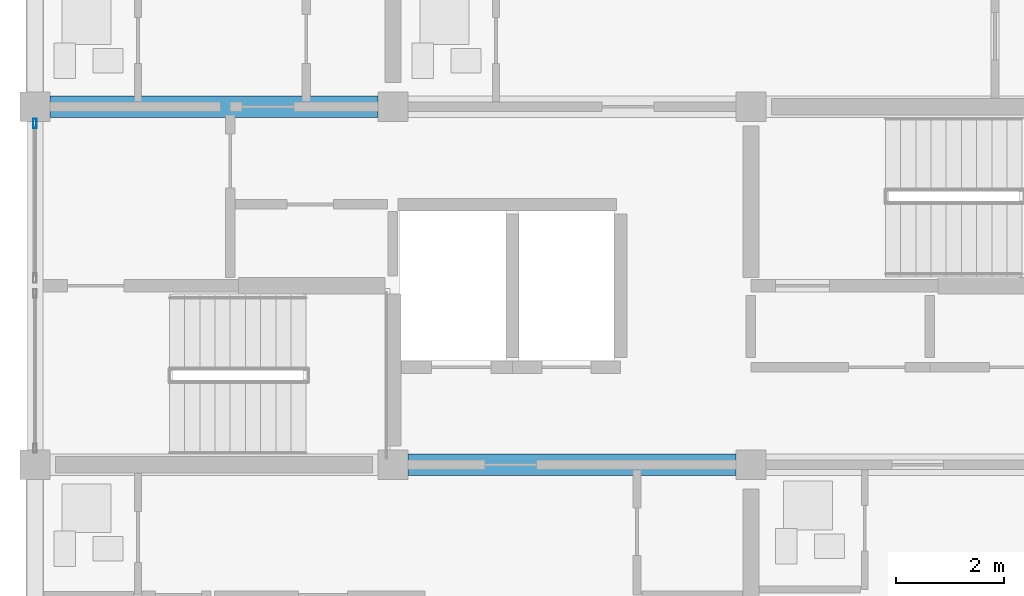
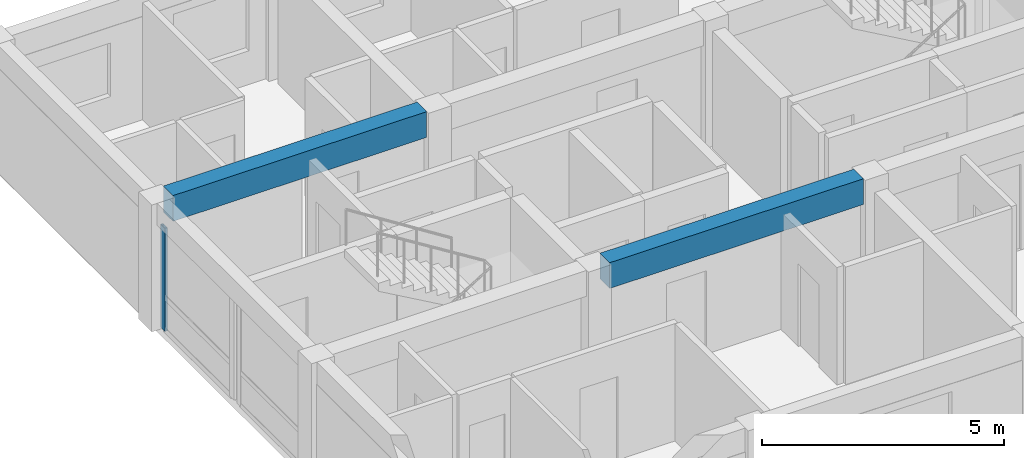
# One storey, part 16 of 45: 2 beams, 1 member, 1 element without a shape of its own.
"""IFC4 building model written with IfcOpenShell, lengths in metres."""

from ifc_helpers import new_model, si_unit, direction, frame, origin, origin_2d, place, context, subcontext, project, spatial, rectangle, hollow_rectangle, extrude, material, material_profile, profile_set, type_object, element, aggregate, save


model = new_model("IFC4")

# Units and contexts
model_context = context("Model", 3, precision=1e-05, world=origin(), true_north=direction((0.0, 1.0)))
body_context = subcontext(model_context, "Body", "Model", "MODEL_VIEW")
ifc_project = project(units=[si_unit("LENGTHUNIT", "METRE"), si_unit("AREAUNIT", "SQUARE_METRE"), si_unit("VOLUMEUNIT", "CUBIC_METRE"), si_unit("PLANEANGLEUNIT", "RADIAN"), si_unit("MASSUNIT", "GRAM", prefix="KILO")], contexts=[model_context])

# Site, building, storey
site_placement = place(None, origin())
site = spatial("IfcSite", under=ifc_project, at=site_placement, CompositionType="ELEMENT")
building_placement = place(site_placement, origin())
building = spatial("IfcBuilding", under=site, at=building_placement, Name="Kernevlak Ridge Housing Community", CompositionType="ELEMENT")
storey_placement = place(building_placement, frame((0.0, 0.0, 21.199951171875)))
storey = spatial("IfcBuildingStorey", under=building, at=storey_placement, Name="L06", CompositionType="ELEMENT", Elevation=21.199951171875)

# Beams
ifc_material_1 = material(Name="Concrete C35/45", Category="concrete")
ifc_material_profile_1 = material_profile(ifc_material_1, rectangle(XDim=0.39990234375, YDim=0.64990234375, at=origin_2d()), Name="RC 400x650")
ifc_profile_set_1 = profile_set([ifc_material_profile_1], Name="Concrete C35/45")
beam_type = type_object("IfcBeamType", Name="B-03", PredefinedType="T_BEAM", material=ifc_profile_set_1)
beam_1_placement = place(storey_placement, frame((22.47509765625, 82.60009765625, 2.875), z_axis=(1.0, 0.0, 0.0), x_axis=(0.0, 1.0, 0.0)))
element("IfcBeam", 1, at=beam_1_placement, inside=storey, type_object=beam_type, Name="Beam B-03 L06 219", PredefinedType="T_BEAM", context=body_context, shape_type="SweptSolid", body=[
    extrude(rectangle(XDim=0.39990234375, YDim=0.64990234375, at=origin_2d()), origin(), (0.0, 0.0, 1.0), 6.0498046875),
])
beam_2_placement = place(storey_placement, frame((15.875, 89.199951171875, 2.875), z_axis=(1.0, 0.0, 0.0), x_axis=(0.0, 1.0, 0.0)))
element("IfcBeam", 2, at=beam_2_placement, inside=storey, type_object=beam_type, Name="Beam B-03 L06 223", PredefinedType="T_BEAM", context=body_context, shape_type="SweptSolid", body=[
    extrude(rectangle(XDim=0.39990234375, YDim=0.64990234375, at=origin_2d()), origin(), (0.0, 0.0, 1.0), 6.050048828125),
])

# Curtain wall, member
ifc_material_2 = material(Name="Aluminium EN AW-6060 anodised and laminated glass", Category="aluminium")
curtain_wall_type = type_object("IfcCurtainWallType", Name="CW-07", PredefinedType="NOTDEFINED", material=ifc_material_2)
curtain_wall_placement = place(storey_placement, origin())
curtain_wall = element("IfcCurtainWall", 3, at=curtain_wall_placement, inside=storey, type_object=curtain_wall_type, Name="Curtain wall CW-07 CW-L06-020", PredefinedType="NOTDEFINED")
ifc_material_3 = material(Name="Aluminium EN AW-6060 anodised", Category="aluminium")
ifc_material_profile_2 = material_profile(ifc_material_3, hollow_rectangle(XDim=0.06494140625, YDim=0.179931640625, WallThickness=0.00439453125, InnerFilletRadius=0.001953125, OuterFilletRadius=0.00439453125, at=origin_2d()), Name="ALU 65x180x4.5")
ifc_profile_set_2 = profile_set([ifc_material_profile_2], Name="Aluminium EN AW-6060 anodised")
member_type = type_object("IfcMemberType", Name="MU-03", PredefinedType="MULLION", material=ifc_profile_set_2)
member_placement = place(storey_placement, frame((15.60009765625, 88.892578125, 0.0), z_axis=(0.0, 0.0, 1.0), x_axis=(-1.0, 0.0, 0.0)))
member = element("IfcMember", 4, at=member_placement, type_object=member_type, Name="CW-07 mullion 2", PredefinedType="MULLION", context=body_context, shape_type="SweptSolid", body=[
    extrude(hollow_rectangle(XDim=0.06494140625, YDim=0.179931640625, WallThickness=0.00439453125, InnerFilletRadius=0.001953125, OuterFilletRadius=0.00439453125, at=origin_2d()), origin(), (0.0, 0.0, 1.0), 2.60009765625),
])
aggregate(curtain_wall, [member])

save(model, "model.ifc")
